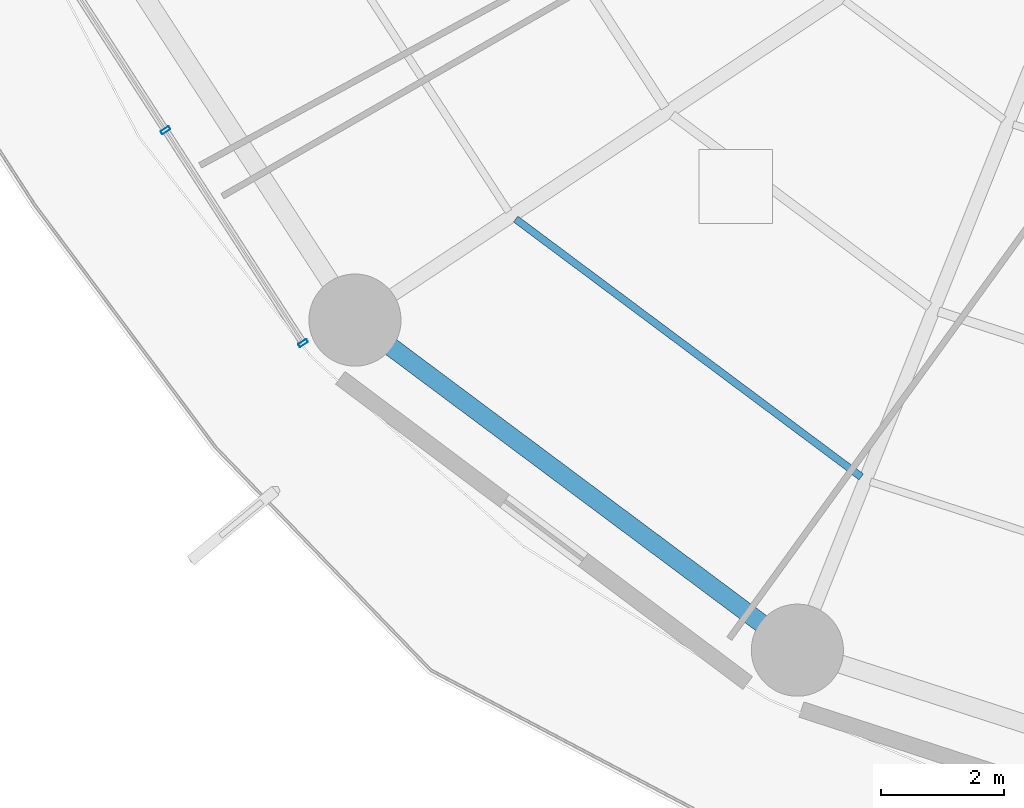
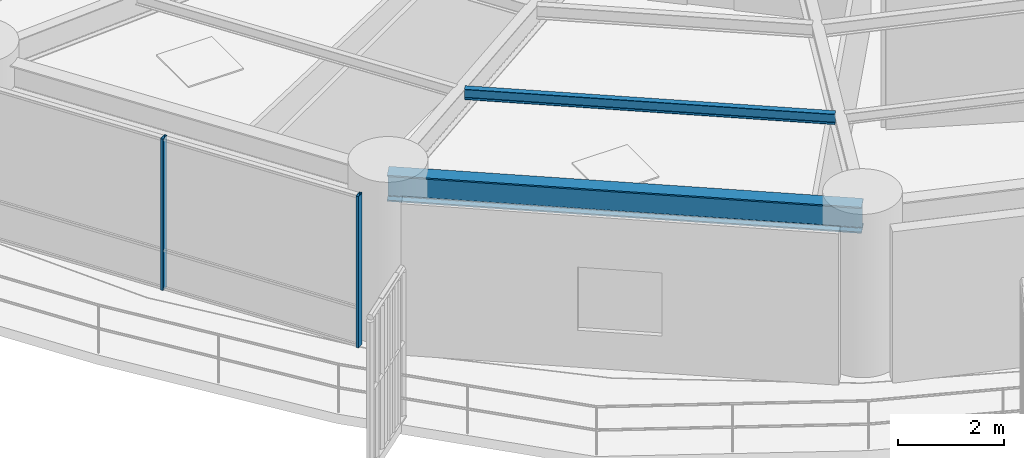
# One storey, part 2 of 32: 2 beams, 2 members, 1 element without a shape of its own.
"""IFC4 building model written with IfcOpenShell, lengths in metres."""

from ifc_helpers import new_model, si_unit, direction, frame, origin, origin_2d, place, context, subcontext, project, spatial, hollow_rectangle, i_section, extrude, material, layer, layer_set, material_profile, profile_set, type_object, element, aggregate, save


model = new_model("IFC4")

# Units and contexts
model_context = context("Model", 3, precision=1e-05, world=origin(), true_north=direction((0.0, 1.0)))
body_context = subcontext(model_context, "Body", "Model", "MODEL_VIEW")
ifc_project = project(units=[si_unit("LENGTHUNIT", "METRE"), si_unit("AREAUNIT", "SQUARE_METRE"), si_unit("VOLUMEUNIT", "CUBIC_METRE"), si_unit("PLANEANGLEUNIT", "RADIAN"), si_unit("MASSUNIT", "GRAM", prefix="KILO")], contexts=[model_context])

# Site, building, storey
site_placement = place(None, origin())
site = spatial("IfcSite", under=ifc_project, at=site_placement, CompositionType="ELEMENT")
building_placement = place(site_placement, origin())
building = spatial("IfcBuilding", under=site, at=building_placement, Name="Kelanora Arch Commons", CompositionType="ELEMENT")
storey_placement = place(building_placement, frame((0.0, 0.0, 52.5)))
storey = spatial("IfcBuildingStorey", under=building, at=storey_placement, Name="L13", CompositionType="ELEMENT", Elevation=52.5)

# Beams
ifc_material_1 = material(Name="Steel S355", Category="steel")
ifc_material_profile_1 = material_profile(ifc_material_1, i_section(OverallWidth=0.1201171875, OverallDepth=0.239990234375, WebThickness=0.006103515625, FlangeThickness=0.009765625, FilletRadius=0.014892578125, at=origin_2d()), Name="IPE240")
ifc_profile_set_1 = profile_set([ifc_material_profile_1], Name="Steel S355")
beam_type_1 = type_object("IfcBeamType", Name="BM-JST-02", PredefinedType="JOIST", material=ifc_profile_set_1)
beam_1_placement = place(storey_placement, frame((55.87255859375, 44.16650390625, 3.3701171875), z_axis=(0.80149131963, -0.598006408459, 0.0), x_axis=(0.598006408459, 0.80149131963, 0.0)))
element("IfcBeam", 1, at=beam_1_placement, inside=storey, type_object=beam_type_1, Name="Secondary Chord Joist BJC-22 L13", PredefinedType="JOIST", context=body_context, shape_type="SweptSolid", body=[
    extrude(i_section(OverallWidth=0.1201171875, OverallDepth=0.239990234375, WebThickness=0.006103515625, FlangeThickness=0.009765625, FilletRadius=0.014892578125, at=origin_2d()), origin(), (0.0, 0.0, 1.0), 7.021240234375),
])
ifc_material_profile_2 = material_profile(ifc_material_1, i_section(OverallWidth=0.300048828125, OverallDepth=0.60009765625, WebThickness=0.015380859375, FlangeThickness=0.030029296875, FilletRadius=0.027099609375, at=origin_2d()), Name="HEB600")
ifc_profile_set_2 = profile_set([ifc_material_profile_2], Name="Steel S355")
beam_type_2 = type_object("IfcBeamType", Name="BM-SPN-Z1", PredefinedType="SPANDREL", material=ifc_profile_set_2)
beam_2_placement = place(storey_placement, frame((53.255615234375, 42.521728515625, 3.18994140625), z_axis=(0.801467504127, -0.598038326388, 0.0), x_axis=(0.598038326388, 0.801467504127, 0.0)))
element("IfcBeam", 2, at=beam_2_placement, inside=storey, type_object=beam_type_2, Name="Perimeter Spandrel Beam BS-22 L13", PredefinedType="SPANDREL", context=body_context, shape_type="SweptSolid", body=[
    extrude(i_section(OverallWidth=0.300048828125, OverallDepth=0.60009765625, WebThickness=0.015380859375, FlangeThickness=0.030029296875, FilletRadius=0.027099609375, at=origin_2d()), origin(), (0.0, 0.0, 1.0), 8.989013671875),
])

# Curtain wall, members
ifc_material_2 = material(Name="Terracotta ceramic-fritted low-E glass and aluminium", Category="masonry")
ifc_layer = layer(ifc_material_2, 0.159912109375)
ifc_layer_set = layer_set([ifc_layer], Name="Terracotta ceramic-fritted low-E glass and aluminium")
curtain_wall_type = type_object("IfcCurtainWallType", Name="CW-SYS-01", PredefinedType="NOTDEFINED", material=ifc_layer_set)
curtain_wall_placement = place(storey_placement, origin())
curtain_wall = element("IfcCurtainWall", 3, at=curtain_wall_placement, inside=storey, type_object=curtain_wall_type, Name="Unitised Curtain Wall L13-B10", PredefinedType="NOTDEFINED")
ifc_material_3 = material(Name="Powder-coated aluminium terracotta", Category="masonry")
ifc_material_profile_3 = material_profile(ifc_material_3, hollow_rectangle(XDim=0.159912109375, YDim=0.06005859375, WallThickness=0.0048828125, InnerFilletRadius=0.0048828125, OuterFilletRadius=0.010009765625, at=origin_2d()), Name="CWM160x60")
ifc_profile_set_3 = profile_set([ifc_material_profile_3], Name="Powder-coated aluminium terracotta")
member_type = type_object("IfcMemberType", Name="CWM-STD", PredefinedType="MULLION", material=ifc_profile_set_3)
member_1_placement = place(storey_placement, frame((50.169189453125, 45.61328125, 0.0), z_axis=(0.0, 0.0, 1.0), x_axis=(0.83972982332, 0.543004441812, 0.0)))
member_1 = element("IfcMember", 4, at=member_1_placement, type_object=member_type, Name="CW-01 mullion 2", PredefinedType="MULLION", context=body_context, shape_type="SweptSolid", body=[
    extrude(hollow_rectangle(XDim=0.159912109375, YDim=0.06005859375, WallThickness=0.0048828125, InnerFilletRadius=0.0048828125, OuterFilletRadius=0.010009765625, at=origin_2d()), origin(), (0.0, 0.0, 1.0), 3.47509765625),
])
member_2_placement = place(storey_placement, frame((52.41064453125, 42.14697265625, 0.0), z_axis=(0.0, 0.0, 1.0), x_axis=(0.83972982332, 0.543004441812, 0.0)))
member_2 = element("IfcMember", 5, at=member_2_placement, type_object=member_type, Name="CW-01 mullion 3", PredefinedType="MULLION", context=body_context, shape_type="SweptSolid", body=[
    extrude(hollow_rectangle(XDim=0.159912109375, YDim=0.06005859375, WallThickness=0.0048828125, InnerFilletRadius=0.0048828125, OuterFilletRadius=0.010009765625, at=origin_2d()), origin(), (0.0, 0.0, 1.0), 3.47509765625),
])
aggregate(curtain_wall, [member_1, member_2])

save(model, "model.ifc")
